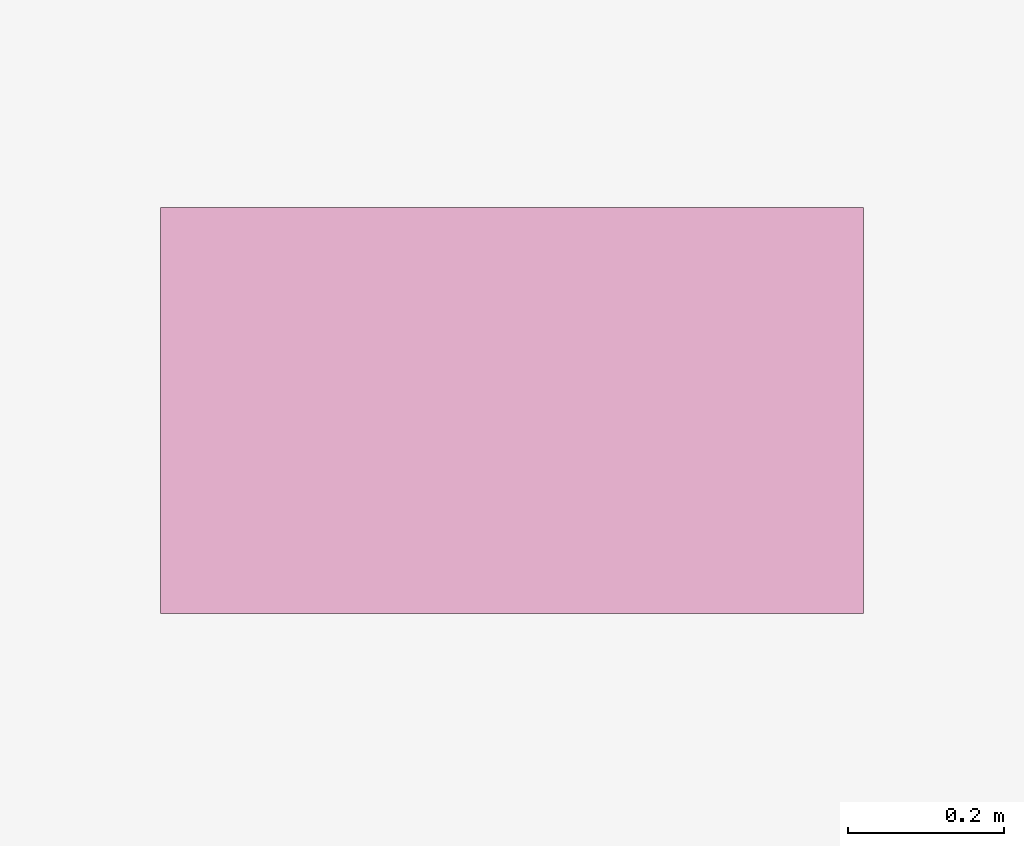
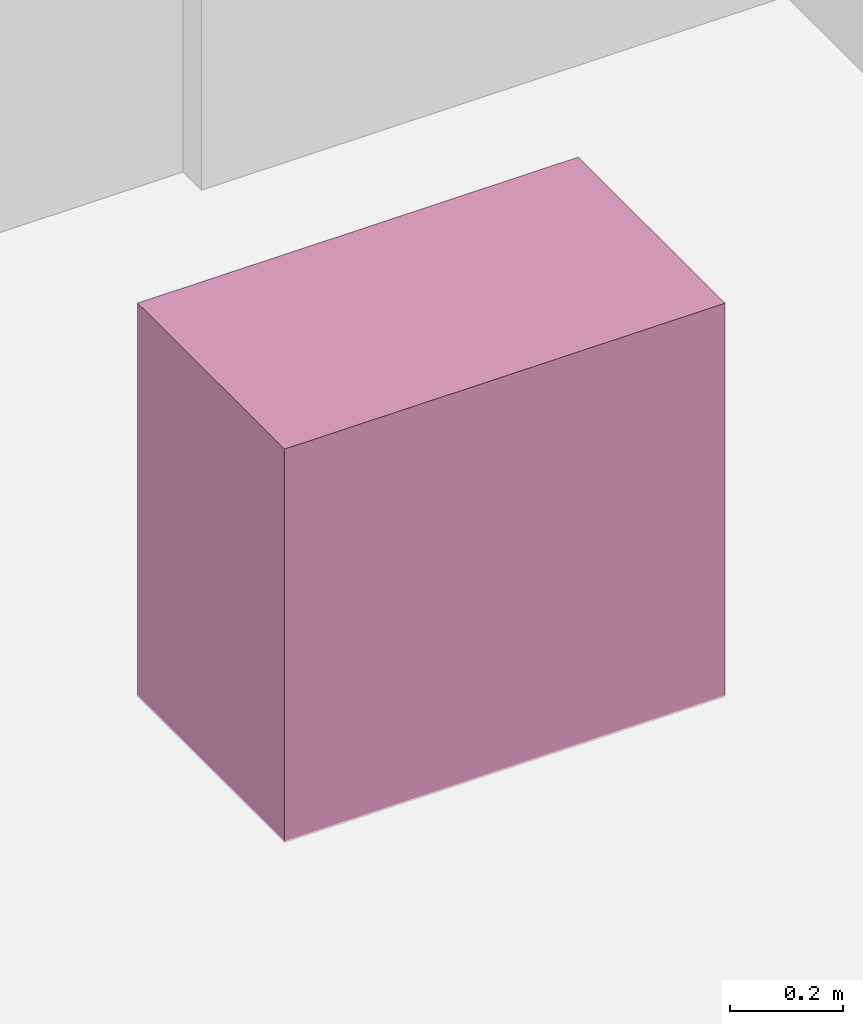
# One storey, part 36 of 36: 1 furnishing.
"""IFC4 building model written with IfcOpenShell, lengths in metres."""

from ifc_helpers import new_model, si_unit, direction, frame, origin, origin_2d, place, context, subcontext, project, spatial, rectangle, extrude, material, type_object, element, save


model = new_model("IFC4")

# Units and contexts
model_context = context("Model", 3, precision=1e-05, world=origin(), true_north=direction((0.0, 1.0)))
body_context = subcontext(model_context, "Body", "Model", "MODEL_VIEW")
ifc_project = project(units=[si_unit("LENGTHUNIT", "METRE"), si_unit("AREAUNIT", "SQUARE_METRE"), si_unit("VOLUMEUNIT", "CUBIC_METRE"), si_unit("PLANEANGLEUNIT", "RADIAN"), si_unit("MASSUNIT", "GRAM", prefix="KILO")], contexts=[model_context])

# Site, building, storey
site_placement = place(None, origin())
site = spatial("IfcSite", under=ifc_project, at=site_placement, CompositionType="ELEMENT")
building_placement = place(site_placement, origin())
building = spatial("IfcBuilding", under=site, at=building_placement, Name="Vorneva Point Tower", CompositionType="ELEMENT")
storey_placement = place(building_placement, frame((0.0, 0.0, 24.0)))
storey = spatial("IfcBuildingStorey", under=building, at=storey_placement, Name="L05", CompositionType="ELEMENT", Elevation=24.0)

# Furnishing
ifc_material = material(Name="Vitreous china and granite top", Category="masonry")
furniture_type = type_object("IfcFurnitureType", Name="FUR-VAN-900", AssemblyPlace="NOTDEFINED", PredefinedType="NOTDEFINED", material=ifc_material)
furnishing_placement = place(storey_placement, frame((37.97509765625, 32.1201171875, -0.005126953125), z_axis=(0.0, 0.0, 1.0), x_axis=(1.0, 0.0, 0.0)))
element("IfcFurnishingElement", 1, at=furnishing_placement, inside=storey, type_object=furniture_type, Name="L05 Accessible WC Vanity Unit", ObjectType="L05 Accessible WC Vanity Unit", context=body_context, shape_type="SweptSolid", body=[
    extrude(rectangle(XDim=0.89990234375, YDim=0.52001953125, at=origin_2d()), origin(), (0.0, 0.0, 1.0), 0.85009765625),
])

save(model, "model.ifc")
